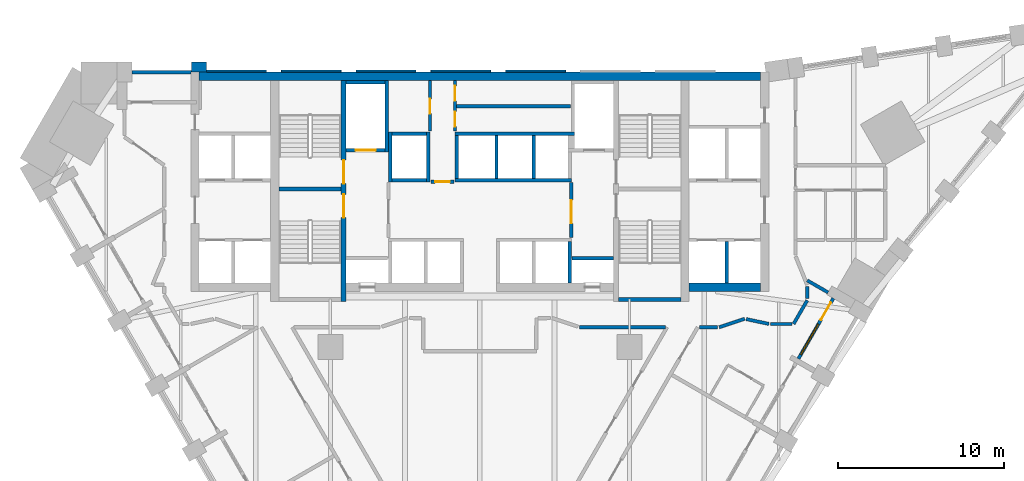
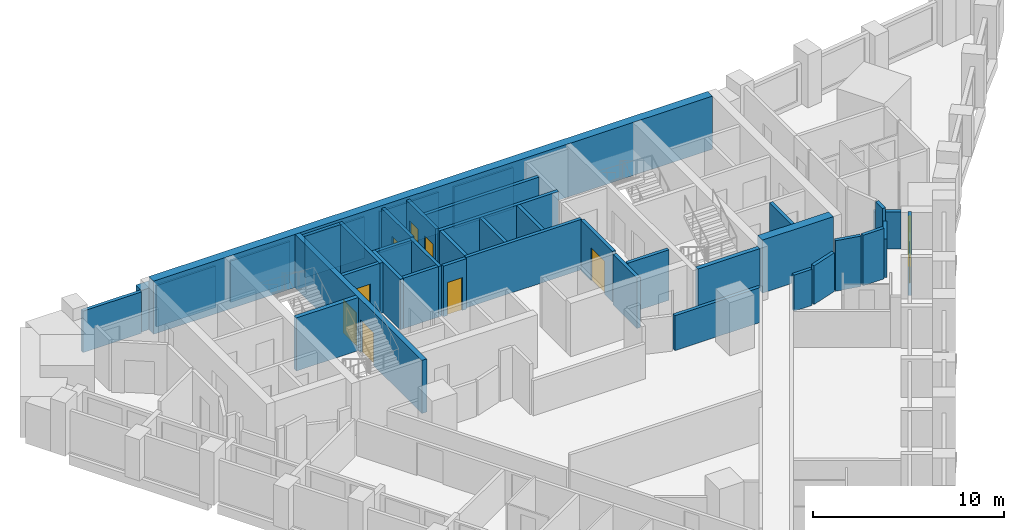
# One storey, part 7 of 11: 41 walls, 9 doors, 1 window, 10 openings.
"""IFC4 building model written with IfcOpenShell, lengths in metres."""

from ifc_helpers import new_model, si_unit, direction, frame, frame_2d, origin, place, context, subcontext, project, spatial, polyline, rectangle, outline, extrude, material, layer, layer_set, type_object, element, fill, save


model = new_model("IFC4")

# Units and contexts
model_context = context("Model", 3, precision=1e-05, world=origin(), true_north=direction((0.0, 1.0)))
body_context = subcontext(model_context, "Body", "Model", "MODEL_VIEW")
ifc_project = project(units=[si_unit("LENGTHUNIT", "METRE"), si_unit("AREAUNIT", "SQUARE_METRE"), si_unit("VOLUMEUNIT", "CUBIC_METRE"), si_unit("PLANEANGLEUNIT", "RADIAN"), si_unit("MASSUNIT", "GRAM", prefix="KILO")], contexts=[model_context])

# Site, building, storey
site_placement = place(None, origin())
site = spatial("IfcSite", under=ifc_project, at=site_placement, CompositionType="ELEMENT")
building_placement = place(site_placement, origin())
building = spatial("IfcBuilding", under=site, at=building_placement, Name="Calabash Gate Tower", CompositionType="ELEMENT")
storey_placement = place(building_placement, frame((0.0, 0.0, 129.199951171875)))
storey = spatial("IfcBuildingStorey", under=building, at=storey_placement, Name="L30", CompositionType="ELEMENT", Elevation=129.199951171875)

# Walls
ifc_material_1 = material(Name="Terracotta brick masonry, exposed face", Category="masonry")
ifc_layer_1 = layer(ifc_material_1, 1.199951171875)
ifc_layer_set_1 = layer_set([ifc_layer_1], Name="Brick end wall 1200")
wall_type_1 = type_object("IfcWallType", Name="Brick end wall 1200", PredefinedType="SOLIDWALL", material=ifc_layer_set_1)
wall_1_placement = place(storey_placement, origin())
element("IfcWall", 1, at=wall_1_placement, inside=storey, type_object=wall_type_1, Name="Brick pier S08 N6.7", PredefinedType="SOLIDWALL", context=body_context, shape_type="SweptSolid", body=[
    extrude(outline(polyline([(-16.447021484375, 19.052490234375), (-16.447021484375, 19.652587890625), (-17.346923828125, 19.652587890625), (-17.346923828125, 19.052490234375), (-16.447021484375, 19.052490234375)])), origin(), (0.0, 0.0, 1.0), 2.650146484375),
])
ifc_material_2 = material(Name="Concrete C80/95", Category="concrete")
ifc_layer_2 = layer(ifc_material_2, 0.25)
ifc_layer_set_2 = layer_set([ifc_layer_2], Name="Core wall 250 Concrete C80/95")
wall_type_2 = type_object("IfcWallType", Name="Core wall 250 Concrete C80/95", PredefinedType="SHEAR", material=ifc_layer_set_2)
for number, where, z_axis, x_axis, name in (
    (2, (-12.10009765625, 12.027587890625, 0.0), (0.0, 0.0, 1.0), (1.0, 0.0, 0.0), "Core wall Z2-MIDW L30"),
    (3, (8.35009765625, 5.377685546875, 0.0), (0.0, 0.0, 1.0), (1.0, 0.0, 0.0), "Core wall Z2-SSE L30"),
):
    element("IfcWall", number, at=place(storey_placement, frame(where, z_axis=z_axis, x_axis=x_axis)), inside=storey, type_object=wall_type_2, Name=name, PredefinedType="SHEAR", context=body_context, shape_type="SweptSolid", body=[
        extrude(rectangle(XDim=3.75, YDim=0.25, at=frame_2d((1.875, 0.0))), origin(), (0.0, 0.0, 1.0), 3.400146484375),
    ])

# Wall, openings, doors
ifc_material_3 = material(Name="Concrete C80/95", Category="concrete")
ifc_layer_3 = layer(ifc_material_3, 0.300048828125)
ifc_layer_set_3 = layer_set([ifc_layer_3], Name="Core wall 300 Concrete C80/95")
wall_type_3 = type_object("IfcWallType", Name="Core wall 300 Concrete C80/95", PredefinedType="SHEAR", material=ifc_layer_set_3)
wall_2_placement = place(storey_placement, frame((-8.199951171875, 5.252685546875, 0.0), z_axis=(0.0, 0.0, 1.0), x_axis=(0.0, 1.0, 0.0)))
wall_2 = element("IfcWall", 4, at=wall_2_placement, inside=storey, type_object=wall_type_3, Name="Core wall Z2-PARTW L30", PredefinedType="SHEAR", context=body_context, shape_type="SweptSolid", body=[
    extrude(rectangle(XDim=13.2998046875, YDim=0.300048828125, at=frame_2d((6.64990234375, 0.0))), origin(), (0.0, 0.0, 1.0), 3.400146484375),
])
opening_1_placement = place(wall_2_placement, frame((7.10009765625, 0.0, 0.0)))
opening_1 = element("IfcOpeningElement", 5, at=opening_1_placement, cuts=wall_2, Name="Opening H8-013", PredefinedType="OPENING", context=body_context, shape_type="SweptSolid", body=[
    extrude(rectangle(XDim=1.39990234375, YDim=2.10009765625, at=frame_2d((0.699951171875, 1.050048828125))), frame((0.0, 0.159912109375, 0.0), z_axis=(0.0, -1.0, 0.0), x_axis=(1.0, 0.0, 0.0)), (0.0, 0.0, 1.0), 0.320068359375),
])
opening_2_placement = place(wall_2_placement, frame((5.050048828125, 0.0, 0.0)))
opening_2 = element("IfcOpeningElement", 6, at=opening_2_placement, cuts=wall_2, Name="Opening H8-014", PredefinedType="OPENING", context=body_context, shape_type="SweptSolid", body=[
    extrude(rectangle(XDim=1.39990234375, YDim=2.10009765625, at=frame_2d((0.699951171875, 1.050048828125))), frame((0.0, 0.159912109375, 0.0), z_axis=(0.0, -1.0, 0.0), x_axis=(1.0, 0.0, 0.0)), (0.0, 0.0, 1.0), 0.320068359375),
])
ifc_material_4 = material(Name="Steel fire door set with fire-resisting glazing", Category="steel")
door_type_1 = type_object("IfcDoorType", Name="Fire door D05 1400x2100 FD90", OperationType="NOTDEFINED", PredefinedType="DOOR", material=ifc_material_4)
door_1_placement = place(opening_1_placement, origin())
door_1 = element("IfcDoor", 7, at=door_1_placement, inside=storey, type_object=door_type_1, Name="Exit stair door ST1", OperationType="SINGLE_SWING_LEFT", OverallHeight=2.10009765625, OverallWidth=1.39990234375, PredefinedType="DOOR", context=body_context, shape_type="SweptSolid", body=[
    extrude(rectangle(XDim=1.39990234375, YDim=2.10009765625, at=frame_2d((0.699951171875, 1.050048828125))), frame((0.0, 0.02490234375, 0.0), z_axis=(0.0, -1.0, 0.0), x_axis=(1.0, 0.0, 0.0)), (0.0, 0.0, 1.0), 0.050048828125),
])
fill(opening_1, door_1)
door_2_placement = place(opening_2_placement, origin())
door_2 = element("IfcDoor", 8, at=door_2_placement, inside=storey, type_object=door_type_1, Name="Exit stair door ST2", OperationType="SINGLE_SWING_LEFT", OverallHeight=2.10009765625, OverallWidth=1.39990234375, PredefinedType="DOOR", context=body_context, shape_type="SweptSolid", body=[
    extrude(rectangle(XDim=1.39990234375, YDim=2.10009765625, at=frame_2d((0.699951171875, 1.050048828125))), frame((0.0, 0.02490234375, 0.0), z_axis=(0.0, -1.0, 0.0), x_axis=(1.0, 0.0, 0.0)), (0.0, 0.0, 1.0), 0.050048828125),
])
fill(opening_2, door_2)

# Walls
ifc_material_5 = material(Name="Concrete C80/95", Category="concrete")
ifc_layer_4 = layer(ifc_material_5, 0.5)
ifc_layer_set_4 = layer_set([ifc_layer_4], Name="Core wall 500 Concrete C80/95")
wall_type_4 = type_object("IfcWallType", Name="Core wall 500 Concrete C80/95", PredefinedType="SHEAR", material=ifc_layer_set_4)
wall_3_placement = place(storey_placement, frame((-16.89990234375, 18.802490234375, 0.0), z_axis=(0.0, 0.0, 1.0), x_axis=(1.0, 0.0, 0.0)))
element("IfcWall", 9, at=wall_3_placement, inside=storey, type_object=wall_type_4, Name="Core wall Z2-N L30", PredefinedType="SHEAR", context=body_context, shape_type="SweptSolid", body=[
    extrude(rectangle(XDim=33.7998046875, YDim=0.5, at=frame_2d((16.89990234375, 0.0))), origin(), (0.0, 0.0, 1.0), 3.400146484375),
])
wall_4_placement = place(storey_placement, frame((12.60009765625, 6.1025390625, 0.0), z_axis=(0.0, 0.0, 1.0), x_axis=(1.0, 0.0, 0.0)))
element("IfcWall", 10, at=wall_4_placement, inside=storey, type_object=wall_type_4, Name="Core wall Z2-SE L30", PredefinedType="SHEAR", context=body_context, shape_type="SweptSolid", body=[
    extrude(rectangle(XDim=4.2998046875, YDim=0.5, at=frame_2d((2.14990234375, 0.0))), origin(), (0.0, 0.0, 1.0), 3.400146484375),
])
ifc_material_6 = material(Name="Gypsum board on steel studs, mineral wool", Category="steel")
ifc_layer_5 = layer(ifc_material_6, 0.199951171875)
ifc_layer_set_5 = layer_set([ifc_layer_5], Name="Partition 200 gypsum board EI 60")
wall_type_5 = type_object("IfcWallType", Name="Partition 200 gypsum board EI 60", PredefinedType="PARTITIONING", material=ifc_layer_set_5)
wall_5_placement = place(storey_placement, frame((6.0, 3.69970703125, 0.0), z_axis=(0.0, 0.0, 1.0), x_axis=(1.0, 0.0, 0.0)))
element("IfcWall", 11, at=wall_5_placement, inside=storey, type_object=wall_type_5, Name="Partition", PredefinedType="PARTITIONING", context=body_context, shape_type="SweptSolid", body=[
    extrude(rectangle(XDim=5.160888671875, YDim=0.199951171875, at=frame_2d((2.58056640625, 0.0))), origin(), (0.0, 0.0, 1.0), 2.24169921875),
])
wall_6_placement = place(storey_placement, frame((13.208984375, 3.699462890625, 0.0), z_axis=(0.0, 0.0, 1.0), x_axis=(1.0, 0.0, 0.0)))
element("IfcWall", 12, at=wall_6_placement, inside=storey, type_object=wall_type_5, Name="Partition", PredefinedType="PARTITIONING", context=body_context, shape_type="SweptSolid", body=[
    extrude(rectangle(XDim=1.091064453125, YDim=0.199951171875, at=frame_2d((0.54541015625, 0.0))), origin(), (0.0, 0.0, 1.0), 2.30810546875),
])
wall_7_placement = place(storey_placement, frame((14.400146484375, 3.699462890625, 0.0), z_axis=(0.0, 0.0, 1.0), x_axis=(0.948653110684, 0.316318313712, 0.0)))
element("IfcWall", 13, at=wall_7_placement, inside=storey, type_object=wall_type_5, Name="Partition", PredefinedType="PARTITIONING", context=body_context, shape_type="SweptSolid", body=[
    extrude(rectangle(XDim=1.61767578125, YDim=0.199951171875, at=frame_2d((0.808837890625, 0.0))), origin(), (0.0, 0.0, 1.0), 2.4736328125),
])
wall_8_placement = place(storey_placement, frame((17.5, 3.8994140625, 0.0), z_axis=(0.0, 0.0, 1.0), x_axis=(0.99999998188, 0.000190367406, 0.0)))
element("IfcWall", 14, at=wall_8_placement, inside=storey, type_object=wall_type_5, Name="Partition", PredefinedType="PARTITIONING", context=body_context, shape_type="SweptSolid", body=[
    extrude(rectangle(XDim=1.282470703125, YDim=0.199951171875, at=frame_2d((0.64111328125, 0.0))), origin(), (0.0, 0.0, 1.0), 3.22998046875),
])
wall_9_placement = place(storey_placement, frame((18.88232421875, 3.899658203125, 0.0), z_axis=(0.0, 0.0, 1.0), x_axis=(0.500071224646, 0.865984278311, 0.0)))
element("IfcWall", 15, at=wall_9_placement, inside=storey, type_object=wall_type_5, Name="Partition", PredefinedType="PARTITIONING", context=body_context, shape_type="SweptSolid", body=[
    extrude(rectangle(XDim=1.635986328125, YDim=0.199951171875, at=frame_2d((0.81787109375, 0.0))), origin(), (0.0, 0.0, 1.0), 2.4501953125),
])
wall_10_placement = place(storey_placement, frame((16.03271484375, 4.190185546875, 0.0), z_axis=(0.0, 0.0, 1.0), x_axis=(0.978123323974, -0.208025871224, 0.0)))
element("IfcWall", 16, at=wall_10_placement, inside=storey, type_object=wall_type_5, Name="Partition", PredefinedType="PARTITIONING", context=body_context, shape_type="SweptSolid", body=[
    extrude(rectangle(XDim=1.397705078125, YDim=0.199951171875, at=frame_2d((0.69873046875, 0.0))), origin(), (0.0, 0.0, 1.0), 3.22998046875),
])
wall_11_placement = place(storey_placement, frame((19.700439453125, 5.41650390625, 0.0), z_axis=(0.0, 0.0, 1.0), x_axis=(0.0, 1.0, 0.0)))
element("IfcWall", 17, at=wall_11_placement, inside=storey, type_object=wall_type_5, Name="Partition", PredefinedType="PARTITIONING", context=body_context, shape_type="SweptSolid", body=[
    extrude(rectangle(XDim=0.736083984375, YDim=0.199951171875, at=frame_2d((0.3681640625, 0.0))), origin(), (0.0, 0.0, 1.0), 3.22998046875),
])
wall_12_placement = place(storey_placement, frame((19.69970703125, 6.52001953125, 0.0), z_axis=(0.0, 0.0, 1.0), x_axis=(0.866582796781, -0.499033321856, 0.0)))
element("IfcWall", 18, at=wall_12_placement, inside=storey, type_object=wall_type_5, Name="Partition", PredefinedType="PARTITIONING", context=body_context, shape_type="SweptSolid", body=[
    extrude(rectangle(XDim=1.451904296875, YDim=0.199951171875, at=frame_2d((0.72607421875, 0.0))), origin(), (0.0, 0.0, 1.0), 2.384033203125),
])
ifc_material_7 = material(Name="Concrete C40/50", Category="concrete")
ifc_layer_6 = layer(ifc_material_7, 0.199951171875)
ifc_layer_set_6 = layer_set([ifc_layer_6], Name="Shaft wall 200 Concrete C40/50")
wall_type_6 = type_object("IfcWallType", Name="Shaft wall 200 Concrete C40/50", PredefinedType="SOLIDWALL", material=ifc_layer_set_6)
for number, where, z_axis, x_axis, name in (
    (19, (5.39990234375, 6.3525390625, 0.0), (0.0, 0.0, 1.0), (0.0, 1.0, 0.0), "Shaft wall"),
    (20, (14.85009765625, 6.3525390625, 0.0), (0.0, 0.0, 1.0), (0.0, 1.0, 0.0), "Shaft wall"),
    (21, (5.550048828125, 7.8525390625, 0.0), (0.0, 0.0, 1.0), (1.0, 0.0, 0.0), "Shaft wall"),
):
    element("IfcWall", number, at=place(storey_placement, frame(where, z_axis=z_axis, x_axis=x_axis)), inside=storey, type_object=wall_type_6, Name=name, PredefinedType="SOLIDWALL", context=body_context, shape_type="SweptSolid", body=[
        extrude(rectangle(XDim=2.5, YDim=0.199951171875, at=frame_2d((1.25, 0.0))), origin(), (0.0, 0.0, 1.0), 3.22998046875),
    ])

# Wall, opening, door
wall_13_placement = place(storey_placement, frame((5.5, 9.1025390625, 0.0), z_axis=(0.0, 0.0, 1.0), x_axis=(0.0, 1.0, 0.0)))
wall_13 = element("IfcWall", 22, at=wall_13_placement, inside=storey, type_object=wall_type_6, Name="Shaft wall", PredefinedType="SOLIDWALL", context=body_context, shape_type="SweptSolid", body=[
    extrude(rectangle(XDim=3.300048828125, YDim=0.199951171875, at=frame_2d((1.64990234375, 0.0))), origin(), (0.0, 0.0, 1.0), 3.22998046875),
])
opening_3_placement = place(wall_13_placement, frame((0.85009765625, 0.0, 0.0)))
opening_3 = element("IfcOpeningElement", 23, at=opening_3_placement, cuts=wall_13, Name="Opening H8-006", PredefinedType="OPENING", context=body_context, shape_type="SweptSolid", body=[
    extrude(rectangle(XDim=1.39990234375, YDim=2.10009765625, at=frame_2d((0.699951171875, 1.050048828125))), frame((0.0, 0.10986328125, 0.0), z_axis=(0.0, -1.0, 0.0), x_axis=(1.0, 0.0, 0.0)), (0.0, 0.0, 1.0), 0.219970703125),
])
door_3_placement = place(opening_3_placement, origin())
door_3 = element("IfcDoor", 24, at=door_3_placement, inside=storey, type_object=door_type_1, Name="Firefighting Lobby E door", OperationType="SINGLE_SWING_LEFT", OverallHeight=2.10009765625, OverallWidth=1.39990234375, PredefinedType="DOOR", context=body_context, shape_type="SweptSolid", body=[
    extrude(rectangle(XDim=1.39990234375, YDim=2.10009765625, at=frame_2d((0.699951171875, 1.050048828125))), frame((0.0, 0.02490234375, 0.0), z_axis=(0.0, -1.0, 0.0), x_axis=(1.0, 0.0, 0.0)), (0.0, 0.0, 1.0), 0.050048828125),
])
fill(opening_3, door_3)

wall_14_placement = place(storey_placement, frame((-2.949951171875, 12.45263671875, 0.0), z_axis=(0.0, 0.0, 1.0), x_axis=(1.0, 0.0, 0.0)))
wall_14 = element("IfcWall", 25, at=wall_14_placement, inside=storey, type_object=wall_type_6, Name="Shaft wall", PredefinedType="SOLIDWALL", context=body_context, shape_type="SweptSolid", body=[
    extrude(rectangle(XDim=1.39990234375, YDim=0.199951171875, at=frame_2d((0.699951171875, 0.0))), origin(), (0.0, 0.0, 1.0), 3.22998046875),
])
opening_4_placement = place(wall_14_placement, frame((0.25, 0.0, 0.0)))
opening_4 = element("IfcOpeningElement", 26, at=opening_4_placement, cuts=wall_14, Name="Opening H8-005", PredefinedType="OPENING", context=body_context, shape_type="SweptSolid", body=[
    extrude(rectangle(XDim=0.89990234375, YDim=2.10009765625, at=frame_2d((0.449951171875, 1.050048828125))), frame((0.0, 0.10986328125, 0.0), z_axis=(0.0, -1.0, 0.0), x_axis=(1.0, 0.0, 0.0)), (0.0, 0.0, 1.0), 0.219970703125),
])
ifc_material_8 = material(Name="Steel fire door set with fire-resisting glazing", Category="steel")
door_type_2 = type_object("IfcDoorType", Name="Fire door D06 900x2100 FD60", OperationType="NOTDEFINED", PredefinedType="DOOR", material=ifc_material_8)
door_4_placement = place(opening_4_placement, origin())
door_4 = element("IfcDoor", 27, at=door_4_placement, inside=storey, type_object=door_type_2, Name="Service Corridor door", OperationType="SINGLE_SWING_RIGHT", OverallHeight=2.10009765625, OverallWidth=0.89990234375, PredefinedType="DOOR", context=body_context, shape_type="SweptSolid", body=[
    extrude(rectangle(XDim=0.89990234375, YDim=2.10009765625, at=frame_2d((0.449951171875, 1.050048828125))), frame((0.0, 0.02490234375, 0.0), z_axis=(0.0, -1.0, 0.0), x_axis=(1.0, 0.0, 0.0)), (0.0, 0.0, 1.0), 0.050048828125),
])
fill(opening_4, door_4)

# Walls
wall_15_placement = place(storey_placement, frame((-5.39990234375, 12.45263671875, 0.0), z_axis=(0.0, 0.0, 1.0), x_axis=(0.0, 1.0, 0.0)))
element("IfcWall", 28, at=wall_15_placement, inside=storey, type_object=wall_type_6, Name="Shaft wall", PredefinedType="SOLIDWALL", context=body_context, shape_type="SweptSolid", body=[
    extrude(rectangle(XDim=3.0, YDim=0.199951171875, at=frame_2d((1.5, 0.0))), origin(), (0.0, 0.0, 1.0), 3.22998046875),
])
wall_16_placement = place(storey_placement, frame((-5.300048828125, 12.552490234375, 0.0), z_axis=(0.0, 0.0, 1.0), x_axis=(1.0, 0.0, 0.0)))
element("IfcWall", 29, at=wall_16_placement, inside=storey, type_object=wall_type_6, Name="Shaft wall", PredefinedType="SOLIDWALL", context=body_context, shape_type="SweptSolid", body=[
    extrude(rectangle(XDim=2.10009765625, YDim=0.199951171875, at=frame_2d((1.050048828125, 0.0))), origin(), (0.0, 0.0, 1.0), 3.22998046875),
])
wall_17_placement = place(storey_placement, frame((-3.10009765625, 12.45263671875, 0.0), z_axis=(0.0, 0.0, 1.0), x_axis=(0.0, 1.0, 0.0)))
element("IfcWall", 30, at=wall_17_placement, inside=storey, type_object=wall_type_6, Name="Shaft wall", PredefinedType="SOLIDWALL", context=body_context, shape_type="SweptSolid", body=[
    extrude(rectangle(XDim=3.0, YDim=0.199951171875, at=frame_2d((1.5, 0.0))), origin(), (0.0, 0.0, 1.0), 3.22998046875),
])
wall_18_placement = place(storey_placement, frame((-1.5, 12.552490234375, 0.0), z_axis=(0.0, 0.0, 1.0), x_axis=(1.0, 0.0, 0.0)))
element("IfcWall", 31, at=wall_18_placement, inside=storey, type_object=wall_type_6, Name="Shaft wall", PredefinedType="SOLIDWALL", context=body_context, shape_type="SweptSolid", body=[
    extrude(rectangle(XDim=7.0, YDim=0.199951171875, at=frame_2d((3.5, 0.0))), origin(), (0.0, 0.0, 1.0), 3.22998046875),
])
for number, where, z_axis, x_axis, name in (
    (32, (-1.39990234375, 12.652587890625, 0.0), (0.0, 0.0, 1.0), (0.0, 1.0, 0.0), "Shaft wall"),
    (33, (1.0, 12.652587890625, 0.0), (0.0, 0.0, 1.0), (0.0, 1.0, 0.0), "Shaft wall"),
    (34, (3.25, 12.652587890625, 0.0), (0.0, 0.0, 1.0), (0.0, 1.0, 0.0), "Shaft wall"),
):
    element("IfcWall", number, at=place(storey_placement, frame(where, z_axis=z_axis, x_axis=x_axis)), inside=storey, type_object=wall_type_6, Name=name, PredefinedType="SOLIDWALL", context=body_context, shape_type="SweptSolid", body=[
        extrude(rectangle(XDim=2.60009765625, YDim=0.199951171875, at=frame_2d((1.300048828125, 0.0))), origin(), (0.0, 0.0, 1.0), 3.22998046875),
    ])

# Wall, opening, door
wall_19_placement = place(storey_placement, frame((-8.050048828125, 14.3525390625, 0.0), z_axis=(0.0, 0.0, 1.0), x_axis=(1.0, 0.0, 0.0)))
wall_19 = element("IfcWall", 35, at=wall_19_placement, inside=storey, type_object=wall_type_6, Name="Shaft wall", PredefinedType="SOLIDWALL", context=body_context, shape_type="SweptSolid", body=[
    extrude(rectangle(XDim=2.35009765625, YDim=0.199951171875, at=frame_2d((1.175048828125, 0.0))), origin(), (0.0, 0.0, 1.0), 3.22998046875),
])
opening_5_placement = place(wall_19_placement, frame((0.574951171875, 0.0, 0.0)))
opening_5 = element("IfcOpeningElement", 36, at=opening_5_placement, cuts=wall_19, Name="Opening LD-FF1", PredefinedType="OPENING", context=body_context, shape_type="SweptSolid", body=[
    extrude(rectangle(XDim=1.199951171875, YDim=2.10009765625, at=frame_2d((0.60009765625, 1.050048828125))), frame((0.0, 0.10986328125, 0.0), z_axis=(0.0, -1.0, 0.0), x_axis=(1.0, 0.0, 0.0)), (0.0, 0.0, 1.0), 0.219970703125),
])
ifc_material_9 = material(Name="Stainless steel sliding door leaves", Category="steel")
door_type_3 = type_object("IfcDoorType", Name="Lift landing door LS3 1200x2100 FD90", OperationType="DOUBLE_DOOR_SLIDING", PredefinedType="DOOR", material=ifc_material_9)
door_5_placement = place(opening_5_placement, origin())
door_5 = element("IfcDoor", 37, at=door_5_placement, inside=storey, type_object=door_type_3, Name="Lift landing door FF1", OperationType="DOUBLE_DOOR_SLIDING", OverallHeight=2.10009765625, OverallWidth=1.199951171875, PredefinedType="DOOR", context=body_context, shape_type="SweptSolid", body=[
    extrude(rectangle(XDim=1.199951171875, YDim=2.10009765625, at=frame_2d((0.60009765625, 1.050048828125))), frame((0.0, 0.02490234375, 0.0), z_axis=(0.0, -1.0, 0.0), x_axis=(1.0, 0.0, 0.0)), (0.0, 0.0, 1.0), 0.050048828125),
])
fill(opening_5, door_5)

# Walls
wall_20_placement = place(storey_placement, frame((-5.60009765625, 14.252685546875, 0.0), z_axis=(0.0, 0.0, 1.0), x_axis=(0.0, 1.0, 0.0)))
element("IfcWall", 38, at=wall_20_placement, inside=storey, type_object=wall_type_6, Name="Shaft wall", PredefinedType="SOLIDWALL", context=body_context, shape_type="SweptSolid", body=[
    extrude(rectangle(XDim=4.2998046875, YDim=0.199951171875, at=frame_2d((2.14990234375, 0.0))), origin(), (0.0, 0.0, 1.0), 3.22998046875),
])
wall_21_placement = place(storey_placement, frame((-5.300048828125, 15.3525390625, 0.0), z_axis=(0.0, 0.0, 1.0), x_axis=(1.0, 0.0, 0.0)))
element("IfcWall", 39, at=wall_21_placement, inside=storey, type_object=wall_type_6, Name="Shaft wall", PredefinedType="SOLIDWALL", context=body_context, shape_type="SweptSolid", body=[
    extrude(rectangle(XDim=2.10009765625, YDim=0.199951171875, at=frame_2d((1.050048828125, 0.0))), origin(), (0.0, 0.0, 1.0), 3.22998046875),
])
wall_22_placement = place(storey_placement, frame((-1.5, 15.3525390625, 0.0), z_axis=(0.0, 0.0, 1.0), x_axis=(1.0, 0.0, 0.0)))
element("IfcWall", 40, at=wall_22_placement, inside=storey, type_object=wall_type_6, Name="Shaft wall", PredefinedType="SOLIDWALL", context=body_context, shape_type="SweptSolid", body=[
    extrude(rectangle(XDim=7.199951171875, YDim=0.199951171875, at=frame_2d((3.60009765625, 0.0))), origin(), (0.0, 0.0, 1.0), 3.22998046875),
])

# Wall, opening, door
wall_23_placement = place(storey_placement, frame((-3.0, 15.502685546875, 0.0), z_axis=(0.0, 0.0, 1.0), x_axis=(0.0, 1.0, 0.0)))
wall_23 = element("IfcWall", 41, at=wall_23_placement, inside=storey, type_object=wall_type_6, Name="Shaft wall", PredefinedType="SOLIDWALL", context=body_context, shape_type="SweptSolid", body=[
    extrude(rectangle(XDim=3.0498046875, YDim=0.199951171875, at=frame_2d((1.52490234375, 0.0))), origin(), (0.0, 0.0, 1.0), 3.22998046875),
])
opening_6_placement = place(wall_23_placement, frame((1.050048828125, 0.0, 0.0)))
opening_6 = element("IfcOpeningElement", 42, at=opening_6_placement, cuts=wall_23, Name="Opening H8-008", PredefinedType="OPENING", context=body_context, shape_type="SweptSolid", body=[
    extrude(rectangle(XDim=0.89990234375, YDim=2.10009765625, at=frame_2d((0.449951171875, 1.050048828125))), frame((0.0, 0.10986328125, 0.0), z_axis=(0.0, -1.0, 0.0), x_axis=(1.0, 0.0, 0.0)), (0.0, 0.0, 1.0), 0.219970703125),
])
door_6_placement = place(opening_6_placement, origin())
door_6 = element("IfcDoor", 43, at=door_6_placement, inside=storey, type_object=door_type_2, Name="Linen Store door", OperationType="SINGLE_SWING_LEFT", OverallHeight=2.10009765625, OverallWidth=0.89990234375, PredefinedType="DOOR", context=body_context, shape_type="SweptSolid", body=[
    extrude(rectangle(XDim=0.89990234375, YDim=2.10009765625, at=frame_2d((0.449951171875, 1.050048828125))), frame((0.0, 0.02490234375, 0.0), z_axis=(0.0, -1.0, 0.0), x_axis=(1.0, 0.0, 0.0)), (0.0, 0.0, 1.0), 0.050048828125),
])
fill(opening_6, door_6)

# Wall, openings, doors
wall_24_placement = place(storey_placement, frame((-1.5, 15.502685546875, 0.0), z_axis=(0.0, 0.0, 1.0), x_axis=(0.0, 1.0, 0.0)))
wall_24 = element("IfcWall", 44, at=wall_24_placement, inside=storey, type_object=wall_type_6, Name="Shaft wall", PredefinedType="SOLIDWALL", context=body_context, shape_type="SweptSolid", body=[
    extrude(rectangle(XDim=3.0498046875, YDim=0.199951171875, at=frame_2d((1.52490234375, 0.0))), origin(), (0.0, 0.0, 1.0), 3.22998046875),
])
opening_7_placement = place(wall_24_placement, frame((0.27490234375, 0.0, 0.0)))
opening_7 = element("IfcOpeningElement", 45, at=opening_7_placement, cuts=wall_24, Name="Opening H8-009", PredefinedType="OPENING", context=body_context, shape_type="SweptSolid", body=[
    extrude(rectangle(XDim=0.89990234375, YDim=2.10009765625, at=frame_2d((0.449951171875, 1.050048828125))), frame((0.0, 0.10986328125, 0.0), z_axis=(0.0, -1.0, 0.0), x_axis=(1.0, 0.0, 0.0)), (0.0, 0.0, 1.0), 0.219970703125),
])
opening_8_placement = place(wall_24_placement, frame((1.824951171875, 0.0, 0.0)))
opening_8 = element("IfcOpeningElement", 46, at=opening_8_placement, cuts=wall_24, Name="Opening H8-010", PredefinedType="OPENING", context=body_context, shape_type="SweptSolid", body=[
    extrude(rectangle(XDim=0.89990234375, YDim=2.10009765625, at=frame_2d((0.449951171875, 1.050048828125))), frame((0.0, 0.10986328125, 0.0), z_axis=(0.0, -1.0, 0.0), x_axis=(1.0, 0.0, 0.0)), (0.0, 0.0, 1.0), 0.219970703125),
])
door_7_placement = place(opening_7_placement, origin())
door_7 = element("IfcDoor", 47, at=door_7_placement, inside=storey, type_object=door_type_2, Name="Ice and Vending door", OperationType="SINGLE_SWING_LEFT", OverallHeight=2.10009765625, OverallWidth=0.89990234375, PredefinedType="DOOR", context=body_context, shape_type="SweptSolid", body=[
    extrude(rectangle(XDim=0.89990234375, YDim=2.10009765625, at=frame_2d((0.449951171875, 1.050048828125))), frame((0.0, 0.02490234375, 0.0), z_axis=(0.0, -1.0, 0.0), x_axis=(1.0, 0.0, 0.0)), (0.0, 0.0, 1.0), 0.050048828125),
])
fill(opening_7, door_7)
door_8_placement = place(opening_8_placement, origin())
door_8 = element("IfcDoor", 48, at=door_8_placement, inside=storey, type_object=door_type_2, Name="Cleaner's Store door", OperationType="SINGLE_SWING_LEFT", OverallHeight=2.10009765625, OverallWidth=0.89990234375, PredefinedType="DOOR", context=body_context, shape_type="SweptSolid", body=[
    extrude(rectangle(XDim=0.89990234375, YDim=2.10009765625, at=frame_2d((0.449951171875, 1.050048828125))), frame((0.0, 0.02490234375, 0.0), z_axis=(0.0, -1.0, 0.0), x_axis=(1.0, 0.0, 0.0)), (0.0, 0.0, 1.0), 0.050048828125),
])
fill(opening_8, door_8)

# Walls
wall_25_placement = place(storey_placement, frame((-1.39990234375, 17.002685546875, 0.0), z_axis=(0.0, 0.0, 1.0), x_axis=(1.0, 0.0, 0.0)))
element("IfcWall", 49, at=wall_25_placement, inside=storey, type_object=wall_type_6, Name="Shaft wall", PredefinedType="SOLIDWALL", context=body_context, shape_type="SweptSolid", body=[
    extrude(rectangle(XDim=6.849853515625, YDim=0.199951171875, at=frame_2d((3.4248046875, 0.0))), origin(), (0.0, 0.0, 1.0), 3.22998046875),
])
wall_26_placement = place(storey_placement, frame((-8.050048828125, 18.45263671875, 0.0), z_axis=(0.0, 0.0, 1.0), x_axis=(1.0, 0.0, 0.0)))
element("IfcWall", 50, at=wall_26_placement, inside=storey, type_object=wall_type_6, Name="Shaft wall", PredefinedType="SOLIDWALL", context=body_context, shape_type="SweptSolid", body=[
    extrude(rectangle(XDim=2.35009765625, YDim=0.199951171875, at=frame_2d((1.175048828125, 0.0))), origin(), (0.0, 0.0, 1.0), 3.22998046875),
])
ifc_material_10 = material(Name="Terracotta brick masonry, perforated", Category="masonry")
ifc_layer_7 = layer(ifc_material_10, 0.1201171875)
ifc_layer_set_7 = layer_set([ifc_layer_7], Name="Terracotta jaali cladding B 120")
wall_type_7 = type_object("IfcWallType", Name="Terracotta jaali cladding B 120", PredefinedType="SOLIDWALL", material=ifc_layer_set_7)
wall_27_placement = place(storey_placement, origin())
element("IfcWall", 51, at=wall_27_placement, inside=storey, type_object=wall_type_7, Name="Jaali cladding S08 N6.3", PredefinedType="SOLIDWALL", context=body_context, shape_type="SweptSolid", body=[
    extrude(outline(polyline([(1.552978515625, 19.172607421875), (1.552978515625, 19.052490234375), (5.153076171875, 19.052490234375), (5.153076171875, 19.172607421875), (1.552978515625, 19.172607421875)])), origin(), (0.0, 0.0, 1.0), 2.650146484375),
])
wall_28_placement = place(storey_placement, origin())
element("IfcWall", 52, at=wall_28_placement, inside=storey, type_object=wall_type_7, Name="Jaali cladding S08 N6.5", PredefinedType="SOLIDWALL", context=body_context, shape_type="SweptSolid", body=[
    extrude(outline(polyline([(-7.447021484375, 19.172607421875), (-7.447021484375, 19.052490234375), (-3.846923828125, 19.052490234375), (-3.846923828125, 19.172607421875), (-7.447021484375, 19.172607421875)])), origin(), (0.0, 0.0, 1.0), 2.650146484375),
])
wall_29_placement = place(storey_placement, origin())
element("IfcWall", 53, at=wall_29_placement, inside=storey, type_object=wall_type_7, Name="Jaali cladding S08 N6.7", PredefinedType="SOLIDWALL", context=body_context, shape_type="SweptSolid", body=[
    extrude(outline(polyline([(-16.4462890625, 19.172607421875), (-16.4462890625, 19.052490234375), (-12.846923828125, 19.052490234375), (-12.846923828125, 19.172607421875), (-16.4462890625, 19.172607421875)])), origin(), (0.0, 0.0, 1.0), 2.650146484375),
])
ifc_material_11 = material(Name="Terracotta brick masonry, perforated", Category="masonry")
ifc_layer_8 = layer(ifc_material_11, 0.199951171875)
ifc_layer_set_8 = layer_set([ifc_layer_8], Name="Terracotta jaali screen B")
wall_type_8 = type_object("IfcWallType", Name="Terracotta jaali screen B", PredefinedType="SOLIDWALL", material=ifc_layer_set_8)
wall_30_placement = place(storey_placement, origin())
element("IfcWall", 54, at=wall_30_placement, inside=storey, type_object=wall_type_8, Name="SCREEN B S08 N6.8", PredefinedType="SOLIDWALL", context=body_context, shape_type="SweptSolid", body=[
    extrude(outline(polyline([(-20.947021484375, 19.152587890625), (-20.947021484375, 18.95263671875), (-17.39990234375, 18.95263671875), (-17.39990234375, 19.052490234375), (-17.346923828125, 19.052490234375), (-17.346923828125, 19.152587890625), (-20.947021484375, 19.152587890625)])), origin(), (0.0, 0.0, 1.0), 2.650146484375),
])
ifc_material_12 = material(Name="Terracotta louvre blades in an aluminium frame", Category="masonry")
ifc_layer_9 = layer(ifc_material_12, 0.1201171875)
ifc_layer_set_9 = layer_set([ifc_layer_9], Name="Terracotta vent louvre cladding 120")
wall_type_9 = type_object("IfcWallType", Name="Terracotta vent louvre cladding 120", PredefinedType="ELEMENTEDWALL", material=ifc_layer_set_9)
wall_31_placement = place(storey_placement, origin())
element("IfcWall", 55, at=wall_31_placement, inside=storey, type_object=wall_type_9, Name="Vent louvre cladding S08 N6.4", PredefinedType="ELEMENTEDWALL", context=body_context, shape_type="SweptSolid", body=[
    extrude(outline(polyline([(-2.947021484375, 19.172607421875), (-2.947021484375, 19.052490234375), (0.653076171875, 19.052490234375), (0.653076171875, 19.172607421875), (-2.947021484375, 19.172607421875)])), origin(), (0.0, 0.0, 1.0), 2.650146484375),
])
wall_32_placement = place(storey_placement, origin())
element("IfcWall", 56, at=wall_32_placement, inside=storey, type_object=wall_type_9, Name="Vent louvre cladding S08 N6.6", PredefinedType="ELEMENTEDWALL", context=body_context, shape_type="SweptSolid", body=[
    extrude(outline(polyline([(-11.947021484375, 19.172607421875), (-11.947021484375, 19.052490234375), (-8.346923828125, 19.052490234375), (-8.346923828125, 19.172607421875), (-11.947021484375, 19.172607421875)])), origin(), (0.0, 0.0, 1.0), 2.650146484375),
])

# Wall, openings, door, window
ifc_material_13 = material(Name="Aluminium framed window wall with insulated spandrel", Category="aluminium")
ifc_layer_10 = layer(ifc_material_13, 0.199951171875)
ifc_layer_set_10 = layer_set([ifc_layer_10], Name="Window wall 200")
wall_type_10 = type_object("IfcWallType", Name="Window wall 200", PredefinedType="ELEMENTEDWALL", material=ifc_layer_set_10)
wall_33_placement = place(storey_placement, frame((19.1728515625, 1.80322265625, 0.0), z_axis=(0.0, 0.0, 1.0), x_axis=(0.499958946799, 0.866049104564, 0.0)))
wall_33 = element("IfcWall", 57, at=wall_33_placement, inside=storey, type_object=wall_type_10, Name="Window wall S08 SE2.8", PredefinedType="ELEMENTEDWALL", context=body_context, shape_type="SweptSolid", body=[
    extrude(rectangle(XDim=4.199951171875, YDim=0.199951171875, at=frame_2d((2.10009765625, 0.0))), origin(), (0.0, 0.0, 1.0), 2.4501953125),
])
opening_9_placement = place(wall_33_placement, frame((0.300048828125, 0.0, 0.60009765625)))
opening_9 = element("IfcOpeningElement", 58, at=opening_9_placement, cuts=wall_33, Name="Opening HW1L-1750", PredefinedType="OPENING", context=body_context, shape_type="SweptSolid", body=[
    extrude(rectangle(XDim=2.10009765625, YDim=1.75, at=frame_2d((1.050048828125, 0.875))), frame((0.0, 0.10986328125, 0.0), z_axis=(0.0, -1.0, 0.0), x_axis=(1.0, 0.0, 0.0)), (0.0, 0.0, 1.0), 0.219970703125),
])
opening_10_placement = place(wall_33_placement, frame((2.699951171875, 0.0, 0.0)))
opening_10 = element("IfcOpeningElement", 59, at=opening_10_placement, cuts=wall_33, Name="Opening H8-025", PredefinedType="OPENING", context=body_context, shape_type="SweptSolid", body=[
    extrude(rectangle(XDim=1.199951171875, YDim=2.35009765625, at=frame_2d((0.60009765625, 1.175048828125))), frame((0.0, 0.10986328125, 0.0), z_axis=(0.0, -1.0, 0.0), x_axis=(1.0, 0.0, 0.0)), (0.0, 0.0, 1.0), 0.219970703125),
])
ifc_material_14 = material(Name="Anodised aluminium frame, bronze finish, impact-rated laminated clear glazing", Category="aluminium")
door_type_4 = type_object("IfcDoorType", Name="Loggia door DH1L-2350 1200x2350", OperationType="SLIDING_TO_LEFT", PredefinedType="DOOR", material=ifc_material_14)
door_9_placement = place(opening_10_placement, origin())
door_9 = element("IfcDoor", 60, at=door_9_placement, inside=storey, type_object=door_type_4, Name="Loggia door S08 SE2.8", OperationType="SINGLE_SWING_LEFT", OverallHeight=2.35009765625, OverallWidth=1.199951171875, PredefinedType="DOOR", context=body_context, shape_type="SweptSolid", body=[
    extrude(rectangle(XDim=1.199951171875, YDim=2.35009765625, at=frame_2d((0.60009765625, 1.175048828125))), frame((0.0, 0.02490234375, 0.0), z_axis=(0.0, -1.0, 0.0), x_axis=(1.0, 0.0, 0.0)), (0.0, 0.0, 1.0), 0.050048828125),
])
fill(opening_10, door_9)
ifc_material_15 = material(Name="Anodised aluminium frame, bronze finish, impact-rated laminated clear glazing", Category="aluminium")
window_type = type_object("IfcWindowType", Name="Window HW1L 2100x1750", PartitioningType="DOUBLE_PANEL_VERTICAL", PredefinedType="WINDOW", material=ifc_material_15)
window_placement = place(opening_9_placement, origin())
window = element("IfcWindow", 61, at=window_placement, inside=storey, type_object=window_type, Name="Window HW1 S08 SE2.8", OverallHeight=1.75, OverallWidth=2.10009765625, PartitioningType="SINGLE_PANEL", PredefinedType="WINDOW", context=body_context, shape_type="SweptSolid", body=[
    extrude(rectangle(XDim=2.10009765625, YDim=1.75, at=frame_2d((1.050048828125, 0.875))), frame((0.0, 0.030029296875, 0.0), z_axis=(0.0, -1.0, 0.0), x_axis=(1.0, 0.0, 0.0)), (0.0, 0.0, 1.0), 0.06005859375),
])
fill(opening_9, window)

save(model, "model.ifc")
